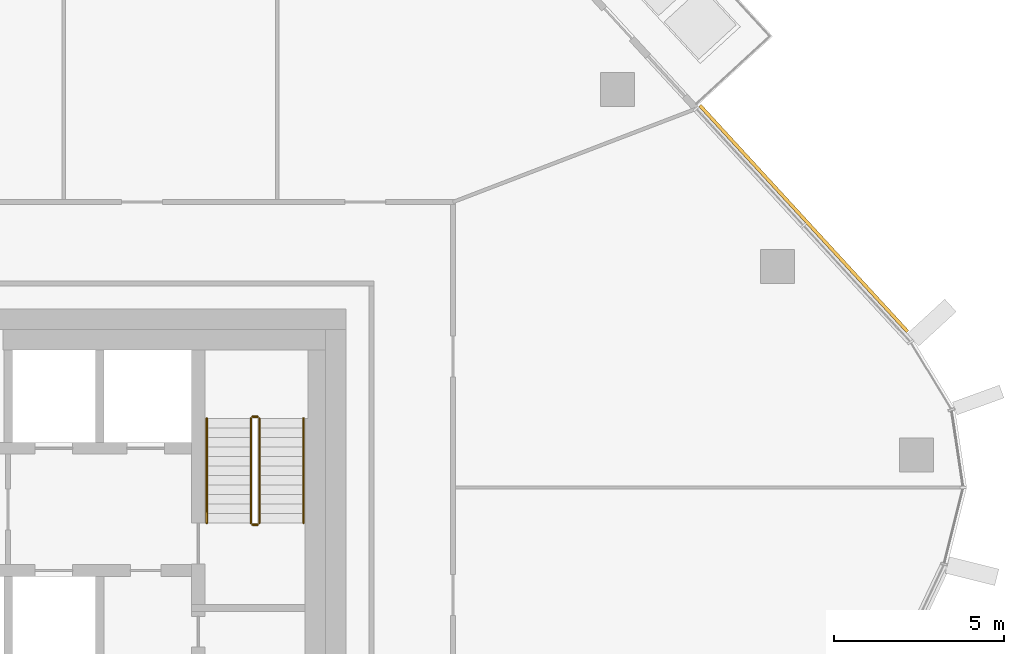
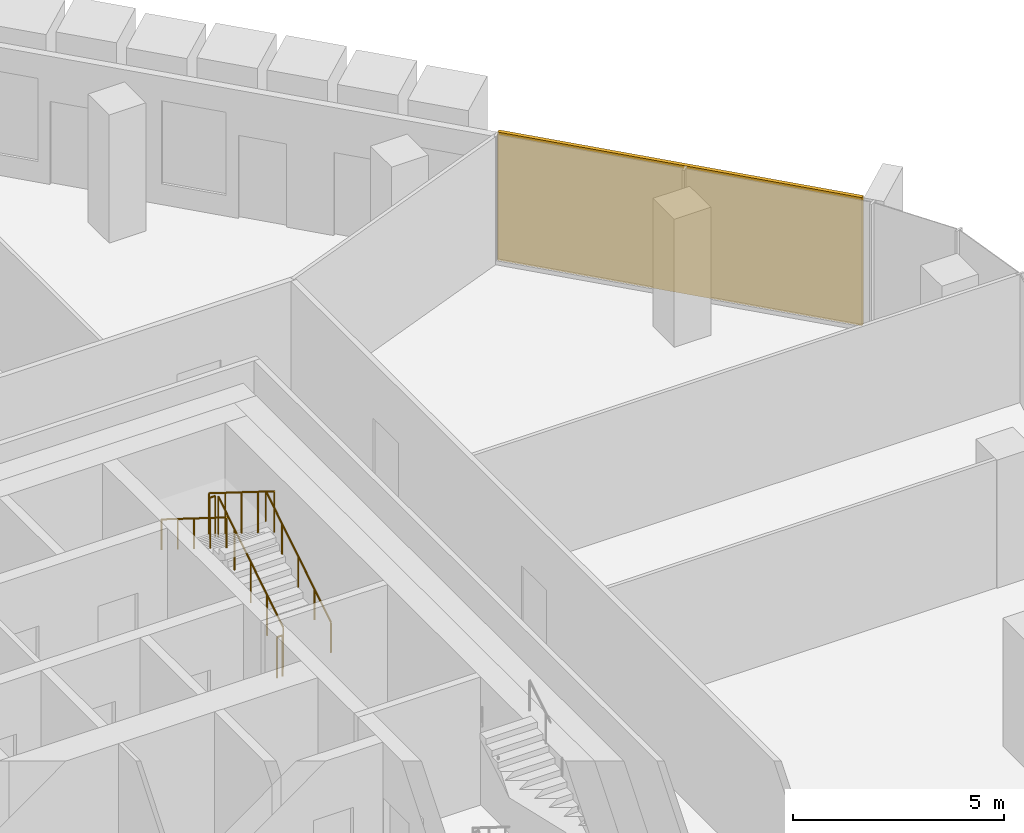
# One storey, part 23 of 24: 6 railings, 1 covering, 1 element without a shape of its own.
"""IFC4 building model written with IfcOpenShell, lengths in metres."""

from ifc_helpers import new_model, si_unit, direction, frame, origin, origin_2d, place, context, subcontext, project, spatial, rectangle, circle, extrude, material, layer, layer_set, type_object, element, aggregate, save


model = new_model("IFC4")

# Units and contexts
model_context = context("Model", 3, precision=1e-05, world=origin(), true_north=direction((0.0, 1.0)))
body_context = subcontext(model_context, "Body", "Model", "MODEL_VIEW")
ifc_project = project(units=[si_unit("LENGTHUNIT", "METRE"), si_unit("AREAUNIT", "SQUARE_METRE"), si_unit("VOLUMEUNIT", "CUBIC_METRE"), si_unit("PLANEANGLEUNIT", "RADIAN"), si_unit("MASSUNIT", "GRAM", prefix="KILO")], contexts=[model_context])

# Site, building, storey
site_placement = place(None, origin())
site = spatial("IfcSite", under=ifc_project, at=site_placement, CompositionType="ELEMENT")
building_placement = place(site_placement, origin())
building = spatial("IfcBuilding", under=site, at=building_placement, Name="Dongbaek Canopy Tower", CompositionType="ELEMENT")
storey_placement = place(building_placement, frame((0.0, 0.0, 348.800048828125)))
storey = spatial("IfcBuildingStorey", under=building, at=storey_placement, Name="L75", CompositionType="ELEMENT", Elevation=348.800048828125)

# Curtain wall, covering
ifc_material_1 = material(Name="Aluminium 6063-T6 pale anodised", Category="aluminium")
ifc_layer_1 = layer(ifc_material_1, 0.199951171875)
ifc_layer_set_1 = layer_set([ifc_layer_1], Name="CW-1 unitised tower curtain wall")
curtain_wall_type = type_object("IfcCurtainWallType", Name="CW-1 unitised tower curtain wall", PredefinedType="NOTDEFINED", material=ifc_layer_set_1)
curtain_wall_placement = place(storey_placement, origin())
curtain_wall = element("IfcCurtainWall", 1, at=curtain_wall_placement, inside=storey, type_object=curtain_wall_type, Name="CW-1 curtain wall F0.1", PredefinedType="NOTDEFINED")
ifc_material_2 = material(Name="Perforated aluminium 6063-T6 pale metal screen", Category="aluminium")
ifc_layer_2 = layer(ifc_material_2, 0.10009765625)
ifc_layer_set_2 = layer_set([ifc_layer_2], Name="Facet screen FS1 100 pale metal")
covering_type = type_object("IfcCoveringType", Name="Facet screen FS1 100 pale metal", PredefinedType="CLADDING", material=ifc_layer_set_2)
covering_placement = place(storey_placement, frame((27.478271484375, 13.6669921875, 0.0), z_axis=(0.0, 0.0, 1.0), x_axis=(-0.676364483171, 0.736567095318, 0.0)))
covering = element("IfcCovering", 2, at=covering_placement, type_object=covering_type, Name="Facet screen L75 F0", PredefinedType="CLADDING", context=body_context, shape_type="SweptSolid", body=[
    extrude(rectangle(XDim=9.0419921875, YDim=0.10009765625, at=origin_2d()), origin(), (0.0, 0.0, 1.0), 3.699951171875),
])
aggregate(curtain_wall, [covering])

# Railings
ifc_material_3 = material(Name="Stainless steel tube and balusters", Category="steel")
railing_type_1 = type_object("IfcRailingType", Name="Stair guard 1200", PredefinedType="GUARDRAIL", material=ifc_material_3)
railing_1_placement = place(storey_placement, frame((11.449951171875, 4.699951171875, 0.175048828125)))
element("IfcRailing", 3, at=railing_1_placement, inside=storey, type_object=railing_type_1, Name="L75 ST-A stair guard 1", PredefinedType="GUARDRAIL", context=body_context, shape_type="SweptSolid", body=[
    extrude(circle(Radius=0.02392578125, at=origin_2d()), frame((0.0, 0.0, 1.17578125), z_axis=(0.0, 0.848028513186, 0.529950602248), x_axis=(-1.0, 0.0, 0.0)), (0.0, 0.0, 1.0), 3.632080078125),
    extrude(circle(Radius=0.02099609375, at=origin_2d()), origin(), (0.0, 0.0, 1.0), 1.15185546875),
    extrude(circle(Radius=0.02099609375, at=origin_2d()), frame((0.0, 0.77001953125, 0.481201171875)), (0.0, 0.0, 1.0), 1.15185546875),
    extrude(circle(Radius=0.02099609375, at=origin_2d()), frame((0.0, 1.5400390625, 0.96240234375)), (0.0, 0.0, 1.0), 1.15185546875),
    extrude(circle(Radius=0.02099609375, at=origin_2d()), frame((0.0, 2.31005859375, 1.443603515625)), (0.0, 0.0, 1.0), 1.15185546875),
    extrude(circle(Radius=0.02099609375, at=origin_2d()), frame((0.0, 3.080078125, 1.9248046875)), (0.0, 0.0, 1.0), 1.15185546875),
])
railing_2_placement = place(storey_placement, frame((11.39990234375, 7.830078125, 2.099853515625)))
element("IfcRailing", 4, at=railing_2_placement, inside=storey, type_object=railing_type_1, Name="L75 ST-A stair guard 2", PredefinedType="GUARDRAIL", context=body_context, shape_type="SweptSolid", body=[
    extrude(circle(Radius=0.02392578125, at=origin_2d()), frame((0.0, 0.0, 1.17578125), z_axis=(-1.0, 0.0, 0.0), x_axis=(0.0, -1.0, 0.0)), (0.0, 0.0, 1.0), 0.14990234375),
    extrude(circle(Radius=0.02099609375, at=origin_2d()), origin(), (0.0, 0.0, 1.0), 1.15185546875),
    extrude(circle(Radius=0.02099609375, at=origin_2d()), frame((-0.14990234375, 0.0, 0.0)), (0.0, 0.0, 1.0), 1.15185546875),
])
railing_3_placement = place(storey_placement, frame((11.199951171875, 7.780029296875, 2.27490234375)))
element("IfcRailing", 5, at=railing_3_placement, inside=storey, type_object=railing_type_1, Name="L75 ST-A stair guard 3", PredefinedType="GUARDRAIL", context=body_context, shape_type="SweptSolid", body=[
    extrude(circle(Radius=0.02392578125, at=origin_2d()), frame((0.0, 0.0, 1.17578125), z_axis=(0.0, -0.847998304005, 0.529998940003), x_axis=(1.0, 0.0, 0.0)), (0.0, 0.0, 1.0), 3.632080078125),
    extrude(circle(Radius=0.02099609375, at=origin_2d()), origin(), (0.0, 0.0, 1.0), 1.15185546875),
    extrude(circle(Radius=0.02099609375, at=origin_2d()), frame((0.0, -0.77001953125, 0.481201171875)), (0.0, 0.0, 1.0), 1.15185546875),
    extrude(circle(Radius=0.02099609375, at=origin_2d()), frame((0.0, -1.5400390625, 0.96240234375)), (0.0, 0.0, 1.0), 1.15185546875),
    extrude(circle(Radius=0.02099609375, at=origin_2d()), frame((0.0, -2.31005859375, 1.44384765625)), (0.0, 0.0, 1.0), 1.15185546875),
    extrude(circle(Radius=0.02099609375, at=origin_2d()), frame((0.0, -3.080078125, 1.925048828125)), (0.0, 0.0, 1.0), 1.15185546875),
])
railing_4_placement = place(storey_placement, frame((11.39990234375, 4.64990234375, 0.0)))
element("IfcRailing", 6, at=railing_4_placement, inside=storey, type_object=railing_type_1, Name="L75 ST-A stair guard 4", PredefinedType="GUARDRAIL", context=body_context, shape_type="SweptSolid", body=[
    extrude(circle(Radius=0.02392578125, at=origin_2d()), frame((0.0, 0.0, 1.17578125), z_axis=(-1.0, 0.0, 0.0), x_axis=(0.0, -1.0, 0.0)), (0.0, 0.0, 1.0), 0.14990234375),
    extrude(circle(Radius=0.02099609375, at=origin_2d()), origin(), (0.0, 0.0, 1.0), 1.15185546875),
    extrude(circle(Radius=0.02099609375, at=origin_2d()), frame((-0.14990234375, 0.0, 0.0)), (0.0, 0.0, 1.0), 1.15185546875),
])
ifc_material_4 = material(Name="Stainless steel tube", Category="steel")
railing_type_2 = type_object("IfcRailingType", Name="Stair handrail 900", PredefinedType="HANDRAIL", material=ifc_material_4)
railing_5_placement = place(storey_placement, frame((12.75, 4.699951171875, 0.175048828125)))
element("IfcRailing", 7, at=railing_5_placement, inside=storey, type_object=railing_type_2, Name="L75 ST-A stair handrail 1", PredefinedType="HANDRAIL", context=body_context, shape_type="SweptSolid", body=[
    extrude(circle(Radius=0.02392578125, at=origin_2d()), frame((0.0, 0.0, 0.8759765625), z_axis=(0.0, 0.848028513186, 0.529950602248), x_axis=(-1.0, 0.0, 0.0)), (0.0, 0.0, 1.0), 3.632080078125),
    extrude(circle(Radius=0.02099609375, at=origin_2d()), origin(), (0.0, 0.0, 1.0), 0.851806640625),
    extrude(circle(Radius=0.02099609375, at=origin_2d()), frame((0.0, 0.77001953125, 0.481201171875)), (0.0, 0.0, 1.0), 0.851806640625),
    extrude(circle(Radius=0.02099609375, at=origin_2d()), frame((0.0, 1.5400390625, 0.96240234375)), (0.0, 0.0, 1.0), 0.851806640625),
    extrude(circle(Radius=0.02099609375, at=origin_2d()), frame((0.0, 2.31005859375, 1.443603515625)), (0.0, 0.0, 1.0), 0.851806640625),
    extrude(circle(Radius=0.02099609375, at=origin_2d()), frame((0.0, 3.080078125, 1.9248046875)), (0.0, 0.0, 1.0), 0.851806640625),
])
railing_6_placement = place(storey_placement, frame((9.89990234375, 7.780029296875, 2.27490234375)))
element("IfcRailing", 8, at=railing_6_placement, inside=storey, type_object=railing_type_2, Name="L75 ST-A stair handrail 2", PredefinedType="HANDRAIL", context=body_context, shape_type="SweptSolid", body=[
    extrude(circle(Radius=0.02392578125, at=origin_2d()), frame((0.0, 0.0, 0.8759765625), z_axis=(0.0, -0.847998304005, 0.529998940003), x_axis=(1.0, 0.0, 0.0)), (0.0, 0.0, 1.0), 3.632080078125),
    extrude(circle(Radius=0.02099609375, at=origin_2d()), origin(), (0.0, 0.0, 1.0), 0.851806640625),
    extrude(circle(Radius=0.02099609375, at=origin_2d()), frame((0.0, -0.77001953125, 0.481201171875)), (0.0, 0.0, 1.0), 0.851806640625),
    extrude(circle(Radius=0.02099609375, at=origin_2d()), frame((0.0, -1.5400390625, 0.96240234375)), (0.0, 0.0, 1.0), 0.851806640625),
    extrude(circle(Radius=0.02099609375, at=origin_2d()), frame((0.0, -2.31005859375, 1.44384765625)), (0.0, 0.0, 1.0), 0.851806640625),
    extrude(circle(Radius=0.02099609375, at=origin_2d()), frame((0.0, -3.080078125, 1.925048828125)), (0.0, 0.0, 1.0), 0.851806640625),
])

save(model, "model.ifc")
